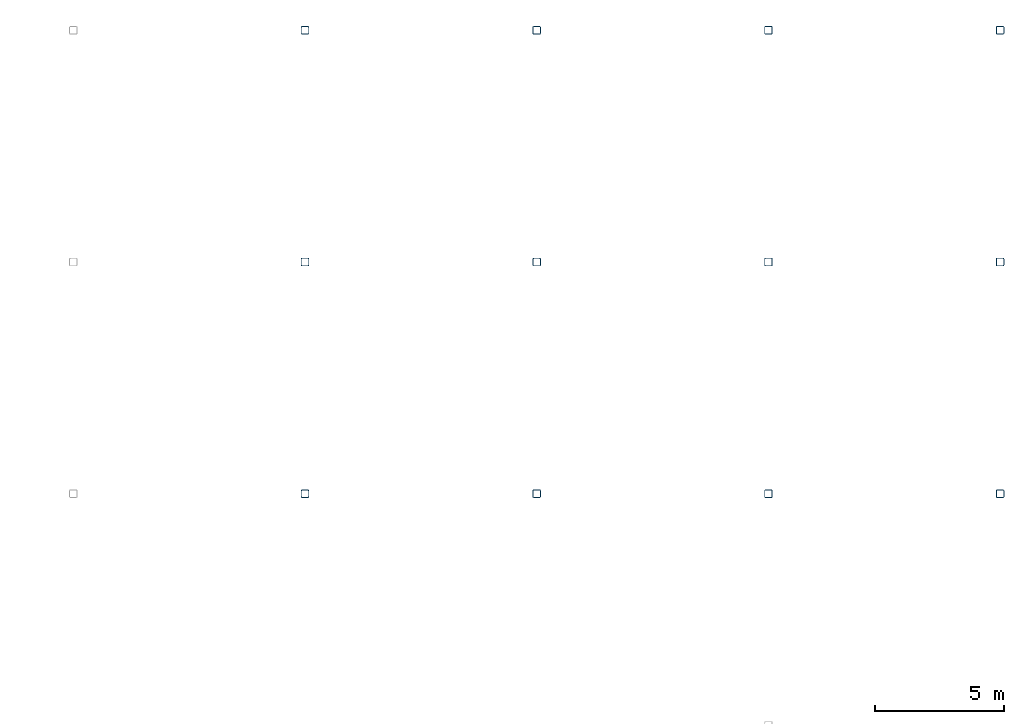
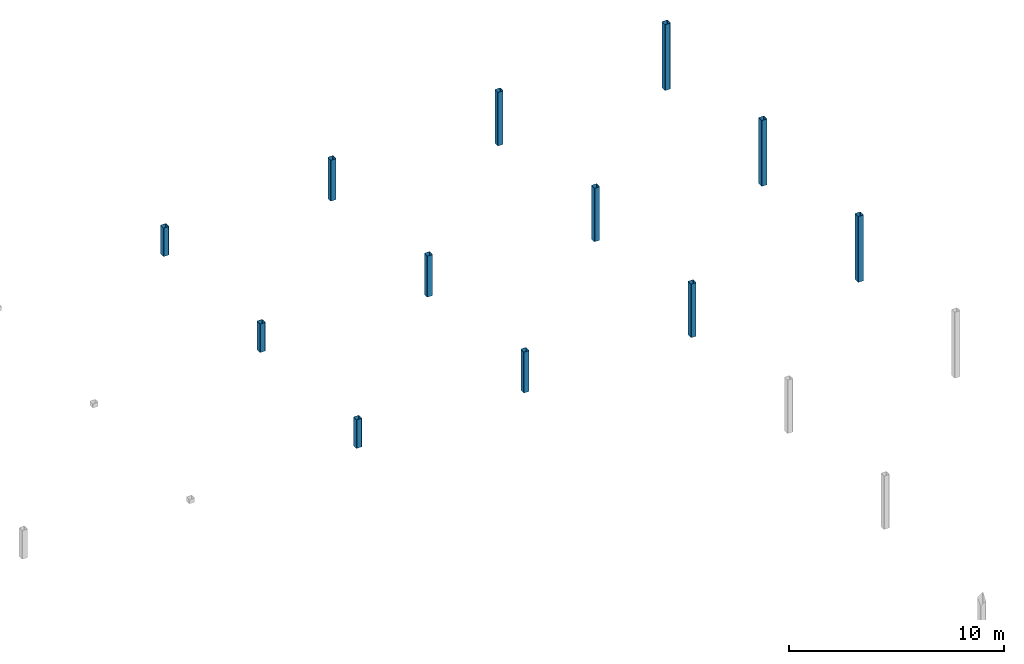
# One storey, part 11 of 15: 12 columns.
"""IFC4 building model written with IfcOpenShell, lengths in metres."""

from ifc_helpers import new_model, si_unit, direction, frame, origin, origin_2d, place, context, subcontext, project, spatial, hollow_rectangle, extrude, material, material_profile, profile_set, type_object, element, save


model = new_model("IFC4")

# Units and contexts
model_context = context("Model", 3, precision=1e-05, world=origin(), true_north=direction((0.0, 1.0)))
body_context = subcontext(model_context, "Body", "Model", "MODEL_VIEW")
ifc_project = project(units=[si_unit("LENGTHUNIT", "METRE"), si_unit("AREAUNIT", "SQUARE_METRE"), si_unit("VOLUMEUNIT", "CUBIC_METRE"), si_unit("PLANEANGLEUNIT", "RADIAN"), si_unit("MASSUNIT", "GRAM", prefix="KILO")], contexts=[model_context])

# Site, building, storey
site_placement = place(None, origin())
site = spatial("IfcSite", under=ifc_project, at=site_placement, CompositionType="ELEMENT")
building_placement = place(site_placement, origin())
building = spatial("IfcBuilding", under=site, at=building_placement, Name="Opaline Strait Convention Centre", CompositionType="ELEMENT")
storey_placement = place(building_placement, frame((0.0, 0.0, 20.10009765625)))
storey = spatial("IfcBuildingStorey", under=building, at=storey_placement, Name="Roof Restaurants and Business Centre", CompositionType="ELEMENT", Elevation=20.10009765625)

# Columns
ifc_material = material(Name="Steel Q355B", Category="steel")
ifc_material_profile = material_profile(ifc_material, hollow_rectangle(XDim=0.300048828125, YDim=0.300048828125, WallThickness=0.011962890625, InnerFilletRadius=0.02392578125, OuterFilletRadius=0.035888671875, at=origin_2d()), Name="RHS 300x300x12")
ifc_profile_set = profile_set([ifc_material_profile], Name="Steel Q355B")
column_type = type_object("IfcColumnType", Name="Roof post RHS 300x300x12", PredefinedType="COLUMN", material=ifc_profile_set)
for number, where, z_axis, x_axis, name in (
    (1, (333.0, 162.0, 0.0), (0.0, 0.0, 1.0), (1.0, 0.0, 0.0), "MRS1 roof post at 38/U above Roof Restaurants and Business Centre"),
    (2, (333.0, 171.0, 0.0), (0.0, 0.0, 1.0), (1.0, 0.0, 0.0), "MRS1 roof post at 38/V above Roof Restaurants and Business Centre"),
    (3, (333.0, 180.0, 0.0), (0.0, 0.0, 1.0), (1.0, 0.0, 0.0), "MRS1 roof post at 38/W above Roof Restaurants and Business Centre"),
):
    element("IfcColumn", number, at=place(storey_placement, frame(where, z_axis=z_axis, x_axis=x_axis)), inside=storey, type_object=column_type, Name=name, PredefinedType="COLUMN", context=body_context, shape_type="SweptSolid", body=[
        extrude(hollow_rectangle(XDim=0.300048828125, YDim=0.300048828125, WallThickness=0.011962890625, InnerFilletRadius=0.02392578125, OuterFilletRadius=0.035888671875, at=origin_2d()), origin(), (0.0, 0.0, 1.0), 1.6201171875),
    ])
for number, where, z_axis, x_axis, name in (
    (4, (342.0, 162.0, 0.0), (0.0, 0.0, 1.0), (1.0, 0.0, 0.0), "MRS1 roof post at 39/U above Roof Restaurants and Business Centre"),
    (5, (342.0, 171.0, 0.0), (0.0, 0.0, 1.0), (1.0, 0.0, 0.0), "MRS1 roof post at 39/V above Roof Restaurants and Business Centre"),
    (6, (342.0, 180.0, 0.0), (0.0, 0.0, 1.0), (1.0, 0.0, 0.0), "MRS1 roof post at 39/W above Roof Restaurants and Business Centre"),
):
    element("IfcColumn", number, at=place(storey_placement, frame(where, z_axis=z_axis, x_axis=x_axis)), inside=storey, type_object=column_type, Name=name, PredefinedType="COLUMN", context=body_context, shape_type="SweptSolid", body=[
        extrude(hollow_rectangle(XDim=0.300048828125, YDim=0.300048828125, WallThickness=0.011962890625, InnerFilletRadius=0.02392578125, OuterFilletRadius=0.035888671875, at=origin_2d()), origin(), (0.0, 0.0, 1.0), 2.32861328125),
    ])
for number, where, z_axis, x_axis, name in (
    (7, (351.0, 162.0, 0.0), (0.0, 0.0, 1.0), (1.0, 0.0, 0.0), "MRS1 roof post at 40/U above Roof Restaurants and Business Centre"),
    (8, (351.0, 171.0, 0.0), (0.0, 0.0, 1.0), (1.0, 0.0, 0.0), "MRS1 roof post at 40/V above Roof Restaurants and Business Centre"),
    (9, (351.0, 180.0, 0.0), (0.0, 0.0, 1.0), (1.0, 0.0, 0.0), "MRS1 roof post at 40/W above Roof Restaurants and Business Centre"),
):
    element("IfcColumn", number, at=place(storey_placement, frame(where, z_axis=z_axis, x_axis=x_axis)), inside=storey, type_object=column_type, Name=name, PredefinedType="COLUMN", context=body_context, shape_type="SweptSolid", body=[
        extrude(hollow_rectangle(XDim=0.300048828125, YDim=0.300048828125, WallThickness=0.011962890625, InnerFilletRadius=0.02392578125, OuterFilletRadius=0.035888671875, at=origin_2d()), origin(), (0.0, 0.0, 1.0), 3.036865234375),
    ])
for number, where, z_axis, x_axis, name in (
    (10, (360.0, 162.0, 0.0), (0.0, 0.0, 1.0), (1.0, 0.0, 0.0), "MRS1 roof post at 41/U above Roof Restaurants and Business Centre"),
    (11, (360.0, 171.0, 0.0), (0.0, 0.0, 1.0), (1.0, 0.0, 0.0), "MRS1 roof post at 41/V above Roof Restaurants and Business Centre"),
    (12, (360.0, 180.0, 0.0), (0.0, 0.0, 1.0), (1.0, 0.0, 0.0), "MRS1 roof post at 41/W above Roof Restaurants and Business Centre"),
):
    element("IfcColumn", number, at=place(storey_placement, frame(where, z_axis=z_axis, x_axis=x_axis)), inside=storey, type_object=column_type, Name=name, PredefinedType="COLUMN", context=body_context, shape_type="SweptSolid", body=[
        extrude(hollow_rectangle(XDim=0.300048828125, YDim=0.300048828125, WallThickness=0.011962890625, InnerFilletRadius=0.02392578125, OuterFilletRadius=0.035888671875, at=origin_2d()), origin(), (0.0, 0.0, 1.0), 3.7451171875),
    ])

save(model, "model.ifc")
